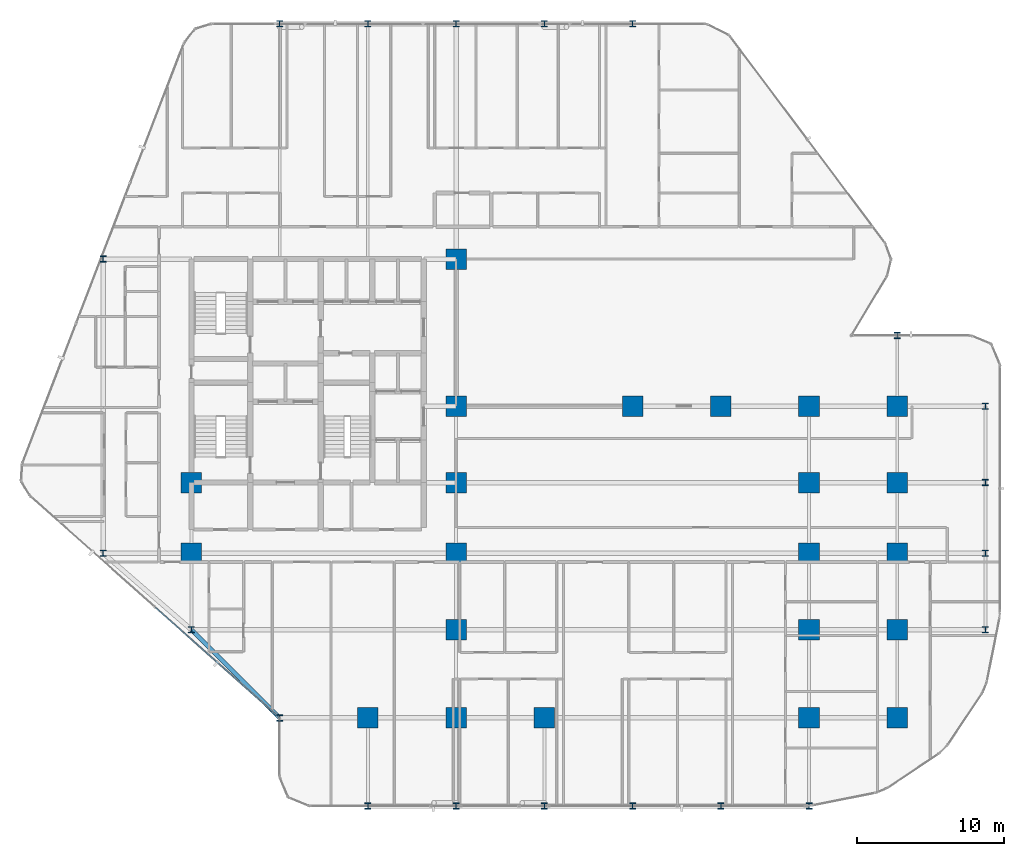
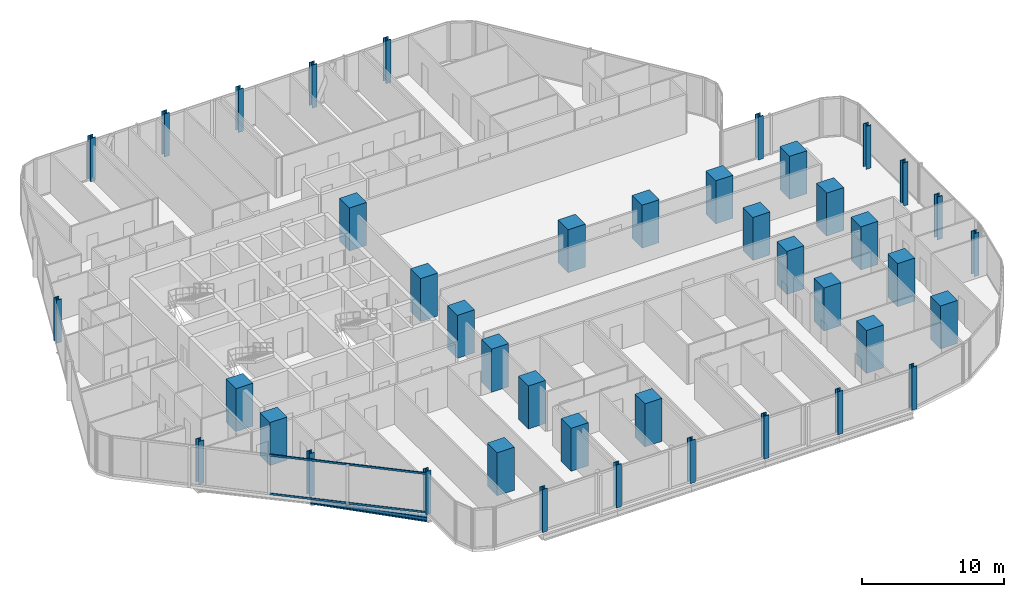
# One storey, part 1 of 34: 42 columns, 2 members, 1 beam, 1 element without a shape of its own.
"""IFC4 building model written with IfcOpenShell, lengths in metres."""

from ifc_helpers import new_model, si_unit, direction, frame, origin, origin_2d, place, context, subcontext, project, spatial, rectangle, hollow_rectangle, i_section, extrude, material, layer, layer_set, material_profile, profile_set, type_object, element, aggregate, save


model = new_model("IFC4")

# Units and contexts
model_context = context("Model", 3, precision=1e-05, world=origin(), true_north=direction((0.0, 1.0)))
body_context = subcontext(model_context, "Body", "Model", "MODEL_VIEW")
ifc_project = project(units=[si_unit("LENGTHUNIT", "METRE"), si_unit("AREAUNIT", "SQUARE_METRE"), si_unit("VOLUMEUNIT", "CUBIC_METRE"), si_unit("PLANEANGLEUNIT", "RADIAN"), si_unit("MASSUNIT", "GRAM", prefix="KILO")], contexts=[model_context])

# Site, building, storey
site_placement = place(None, origin())
site = spatial("IfcSite", under=ifc_project, at=site_placement, CompositionType="ELEMENT")
building_placement = place(site_placement, origin())
building = spatial("IfcBuilding", under=site, at=building_placement, Name="Keshet Zoharim Tower", CompositionType="ELEMENT")
storey_placement = place(building_placement, frame((0.0, 0.0, 46.199951171875)))
storey = spatial("IfcBuildingStorey", under=building, at=storey_placement, Name="L10", CompositionType="ELEMENT", Elevation=46.199951171875)

# Columns
ifc_material_1 = material(Name="Steel S355", Category="steel")
ifc_material_profile_1 = material_profile(ifc_material_1, i_section(OverallWidth=0.408935546875, OverallDepth=0.425048828125, WebThickness=0.031982421875, FlangeThickness=0.052490234375, FilletRadius=0.014892578125, at=origin_2d()), Name="HD400x421")
ifc_profile_set_1 = profile_set([ifc_material_profile_1], Name="Steel S355")
column_type_1 = type_object("IfcColumnType", Name="COL-HD421", PredefinedType="COLUMN", material=ifc_profile_set_1)
for number, where, z_axis, x_axis, name in (
    (1, (9.0, 17.89990234375, 0.0), (0.0, 0.0, 1.0), (1.0, 0.0, 0.0), "L10 Column 2D"),
    (2, (9.0, 37.89990234375, 0.0), (0.0, 0.0, 1.0), (1.0, 0.0, 0.0), "L10 Column 2H"),
    (3, (15.0, 12.699951171875, 0.0), (0.0, 0.0, 1.0), (1.0, 0.0, 0.0), "L10 Column 3C"),
    (4, (21.0, 6.699951171875, 0.0), (0.0, 0.0, 1.0), (1.0, 0.0, 0.0), "L10 Column 4B"),
    (5, (21.0, 53.89990234375, 0.0), (0.0, 0.0, 1.0), (1.0, 0.0, 0.0), "L10 Column 4L"),
    (6, (27.0, 0.699951171875, 0.0), (0.0, 0.0, 1.0), (1.0, 0.0, 0.0), "L10 Column 5A"),
    (7, (27.0, 53.89990234375, 0.0), (0.0, 0.0, 1.0), (1.0, 0.0, 0.0), "L10 Column 5L"),
    (8, (33.0, 0.699951171875, 0.0), (0.0, 0.0, 1.0), (1.0, 0.0, 0.0), "L10 Column 6A"),
    (9, (33.0, 53.89990234375, 0.0), (0.0, 0.0, 1.0), (1.0, 0.0, 0.0), "L10 Column 6L"),
    (10, (39.0, 0.699951171875, 0.0), (0.0, 0.0, 1.0), (1.0, 0.0, 0.0), "L10 Column 7A"),
    (11, (39.0, 53.89990234375, 0.0), (0.0, 0.0, 1.0), (1.0, 0.0, 0.0), "L10 Column 7L"),
    (12, (45.0, 0.699951171875, 0.0), (0.0, 0.0, 1.0), (1.0, 0.0, 0.0), "L10 Column 8A"),
    (13, (45.0, 53.89990234375, 0.0), (0.0, 0.0, 1.0), (1.0, 0.0, 0.0), "L10 Column 8L"),
    (14, (51.0, 0.699951171875, 0.0), (0.0, 0.0, 1.0), (1.0, 0.0, 0.0), "L10 Column 9A"),
    (15, (57.0, 0.699951171875, 0.0), (0.0, 0.0, 1.0), (1.0, 0.0, 0.0), "L10 Column 10A"),
    (16, (63.0, 32.699951171875, 0.0), (0.0, 0.0, 1.0), (1.0, 0.0, 0.0), "L10 Column 11G"),
    (17, (69.0, 12.699951171875, 0.0), (0.0, 0.0, 1.0), (1.0, 0.0, 0.0), "L10 Column 12C"),
    (18, (69.0, 17.89990234375, 0.0), (0.0, 0.0, 1.0), (1.0, 0.0, 0.0), "L10 Column 12D"),
    (19, (69.0, 22.699951171875, 0.0), (0.0, 0.0, 1.0), (1.0, 0.0, 0.0), "L10 Column 12E"),
    (20, (69.0, 27.89990234375, 0.0), (0.0, 0.0, 1.0), (1.0, 0.0, 0.0), "L10 Column 12F"),
):
    element("IfcColumn", number, at=place(storey_placement, frame(where, z_axis=z_axis, x_axis=x_axis)), inside=storey, type_object=column_type_1, Name=name, PredefinedType="COLUMN", context=body_context, shape_type="SweptSolid", body=[
        extrude(i_section(OverallWidth=0.408935546875, OverallDepth=0.425048828125, WebThickness=0.031982421875, FlangeThickness=0.052490234375, FilletRadius=0.014892578125, at=origin_2d()), origin(), (0.0, 0.0, 1.0), 3.699951171875),
    ])
ifc_material_2 = material(Name="Concrete C60/75", Category="concrete")
ifc_material_profile_2 = material_profile(ifc_material_2, rectangle(XDim=1.39990234375, YDim=1.39990234375, at=origin_2d()), Name="RC1400x1400")
ifc_profile_set_2 = profile_set([ifc_material_profile_2], Name="Concrete C60/75")
column_type_2 = type_object("IfcColumnType", Name="COL-RC1400", PredefinedType="COLUMN", material=ifc_profile_set_2)
for number, where, z_axis, x_axis, name in (
    (21, (15.0, 17.89990234375, 0.0), (0.0, 0.0, 1.0), (1.0, 0.0, 0.0), "L10 Column 3D"),
    (22, (15.0, 22.699951171875, 0.0), (0.0, 0.0, 1.0), (1.0, 0.0, 0.0), "L10 Column 3E"),
    (23, (27.0, 6.699951171875, 0.0), (0.0, 0.0, 1.0), (1.0, 0.0, 0.0), "L10 Column 5B"),
    (24, (33.0, 6.699951171875, 0.0), (0.0, 0.0, 1.0), (1.0, 0.0, 0.0), "L10 Column 6B"),
    (25, (33.0, 12.699951171875, 0.0), (0.0, 0.0, 1.0), (1.0, 0.0, 0.0), "L10 Column 6C"),
    (26, (33.0, 17.89990234375, 0.0), (0.0, 0.0, 1.0), (1.0, 0.0, 0.0), "L10 Column 6D"),
    (27, (33.0, 22.699951171875, 0.0), (0.0, 0.0, 1.0), (1.0, 0.0, 0.0), "L10 Column 6E"),
    (28, (33.0, 27.89990234375, 0.0), (0.0, 0.0, 1.0), (1.0, 0.0, 0.0), "L10 Column 6F"),
    (29, (33.0, 37.89990234375, 0.0), (0.0, 0.0, 1.0), (1.0, 0.0, 0.0), "L10 Column 6H"),
    (30, (39.0, 6.699951171875, 0.0), (0.0, 0.0, 1.0), (1.0, 0.0, 0.0), "L10 Column 7B"),
    (31, (45.0, 27.89990234375, 0.0), (0.0, 0.0, 1.0), (1.0, 0.0, 0.0), "L10 Column 8F"),
    (32, (51.0, 27.89990234375, 0.0), (0.0, 0.0, 1.0), (1.0, 0.0, 0.0), "L10 Column 9F"),
    (33, (57.0, 6.699951171875, 0.0), (0.0, 0.0, 1.0), (1.0, 0.0, 0.0), "L10 Column 10B"),
    (34, (57.0, 12.699951171875, 0.0), (0.0, 0.0, 1.0), (1.0, 0.0, 0.0), "L10 Column 10C"),
    (35, (57.0, 17.89990234375, 0.0), (0.0, 0.0, 1.0), (1.0, 0.0, 0.0), "L10 Column 10D"),
    (36, (57.0, 22.699951171875, 0.0), (0.0, 0.0, 1.0), (1.0, 0.0, 0.0), "L10 Column 10E"),
    (37, (57.0, 27.89990234375, 0.0), (0.0, 0.0, 1.0), (1.0, 0.0, 0.0), "L10 Column 10F"),
    (38, (63.0, 6.699951171875, 0.0), (0.0, 0.0, 1.0), (1.0, 0.0, 0.0), "L10 Column 11B"),
    (39, (63.0, 12.699951171875, 0.0), (0.0, 0.0, 1.0), (1.0, 0.0, 0.0), "L10 Column 11C"),
    (40, (63.0, 17.89990234375, 0.0), (0.0, 0.0, 1.0), (1.0, 0.0, 0.0), "L10 Column 11D"),
    (41, (63.0, 22.699951171875, 0.0), (0.0, 0.0, 1.0), (1.0, 0.0, 0.0), "L10 Column 11E"),
    (42, (63.0, 27.89990234375, 0.0), (0.0, 0.0, 1.0), (1.0, 0.0, 0.0), "L10 Column 11F"),
):
    element("IfcColumn", number, at=place(storey_placement, frame(where, z_axis=z_axis, x_axis=x_axis)), inside=storey, type_object=column_type_2, Name=name, PredefinedType="COLUMN", context=body_context, shape_type="SweptSolid", body=[
        extrude(rectangle(XDim=1.39990234375, YDim=1.39990234375, at=origin_2d()), origin(), (0.0, 0.0, 1.0), 3.699951171875),
    ])

# Beam
ifc_material_profile_3 = material_profile(ifc_material_1, i_section(OverallWidth=0.300048828125, OverallDepth=0.39990234375, WebThickness=0.013427734375, FlangeThickness=0.02392578125, FilletRadius=0.027099609375, at=origin_2d()), Name="HEB400")
ifc_profile_set_3 = profile_set([ifc_material_profile_3], Name="Steel S355")
beam_type = type_object("IfcBeamType", Name="BM-SPN-HB400", PredefinedType="SPANDREL", material=ifc_profile_set_3)
beam_placement = place(storey_placement, frame((21.0, 6.699951171875, -0.514892578125), z_axis=(-0.707106781187, 0.707106781187, 0.0), x_axis=(-0.707106781187, -0.707106781187, 0.0)))
element("IfcBeam", 43, at=beam_placement, inside=storey, type_object=beam_type, Name="L10 Perimeter Spandrel Beam 01", PredefinedType="SPANDREL", context=body_context, shape_type="SweptSolid", body=[
    extrude(i_section(OverallWidth=0.300048828125, OverallDepth=0.39990234375, WebThickness=0.013427734375, FlangeThickness=0.02392578125, FilletRadius=0.027099609375, at=origin_2d()), origin(), (0.0, 0.0, 1.0), 8.4853515625),
])

# Curtain wall, members
ifc_material_3 = material(Name="Aluminium 6063-T6", Category="aluminium")
ifc_layer = layer(ifc_material_3, 0.179931640625)
ifc_layer_set = layer_set([ifc_layer], Name="Aluminium 6063-T6")
curtain_wall_type = type_object("IfcCurtainWallType", Name="CW-SYS-01", PredefinedType="NOTDEFINED", material=ifc_layer_set)
curtain_wall_placement = place(storey_placement, origin())
curtain_wall = element("IfcCurtainWall", 44, at=curtain_wall_placement, inside=storey, type_object=curtain_wall_type, Name="L10 Unitised Curtain Wall 01", PredefinedType="NOTDEFINED")
ifc_material_profile_4 = material_profile(ifc_material_3, hollow_rectangle(XDim=0.0849609375, YDim=0.159912109375, WallThickness=0.00439453125, at=origin_2d()), Name="TRN-85x160")
ifc_profile_set_4 = profile_set([ifc_material_profile_4], Name="Aluminium 6063-T6")
member_type = type_object("IfcMemberType", Name="CWT-T16", PredefinedType="USERDEFINED", material=ifc_profile_set_4)
member_1_placement = place(storey_placement, frame((20.94775390625, 6.74658203125, 0.03515625), z_axis=(-0.747411714548, 0.664361143472, 0.0), x_axis=(-0.664361143472, -0.747411714548, 0.0)))
member_1 = element("IfcMember", 45, at=member_1_placement, type_object=member_type, Name="CW-01 transom 1.1", ObjectType="TRANSOM", PredefinedType="USERDEFINED", context=body_context, shape_type="SweptSolid", body=[
    extrude(hollow_rectangle(XDim=0.0849609375, YDim=0.159912109375, WallThickness=0.00439453125, at=origin_2d()), origin(), (0.0, 0.0, 1.0), 11.244140625),
])
member_2_placement = place(storey_placement, frame((20.94775390625, 6.74658203125, 3.35009765625), z_axis=(-0.747411714548, 0.664361143472, 0.0), x_axis=(-0.664361143472, -0.747411714548, 0.0)))
member_2 = element("IfcMember", 46, at=member_2_placement, type_object=member_type, Name="CW-01 transom 1.2", ObjectType="TRANSOM", PredefinedType="USERDEFINED", context=body_context, shape_type="SweptSolid", body=[
    extrude(hollow_rectangle(XDim=0.0849609375, YDim=0.159912109375, WallThickness=0.00439453125, at=origin_2d()), origin(), (0.0, 0.0, 1.0), 11.244140625),
])
aggregate(curtain_wall, [member_1, member_2])

save(model, "model.ifc")
